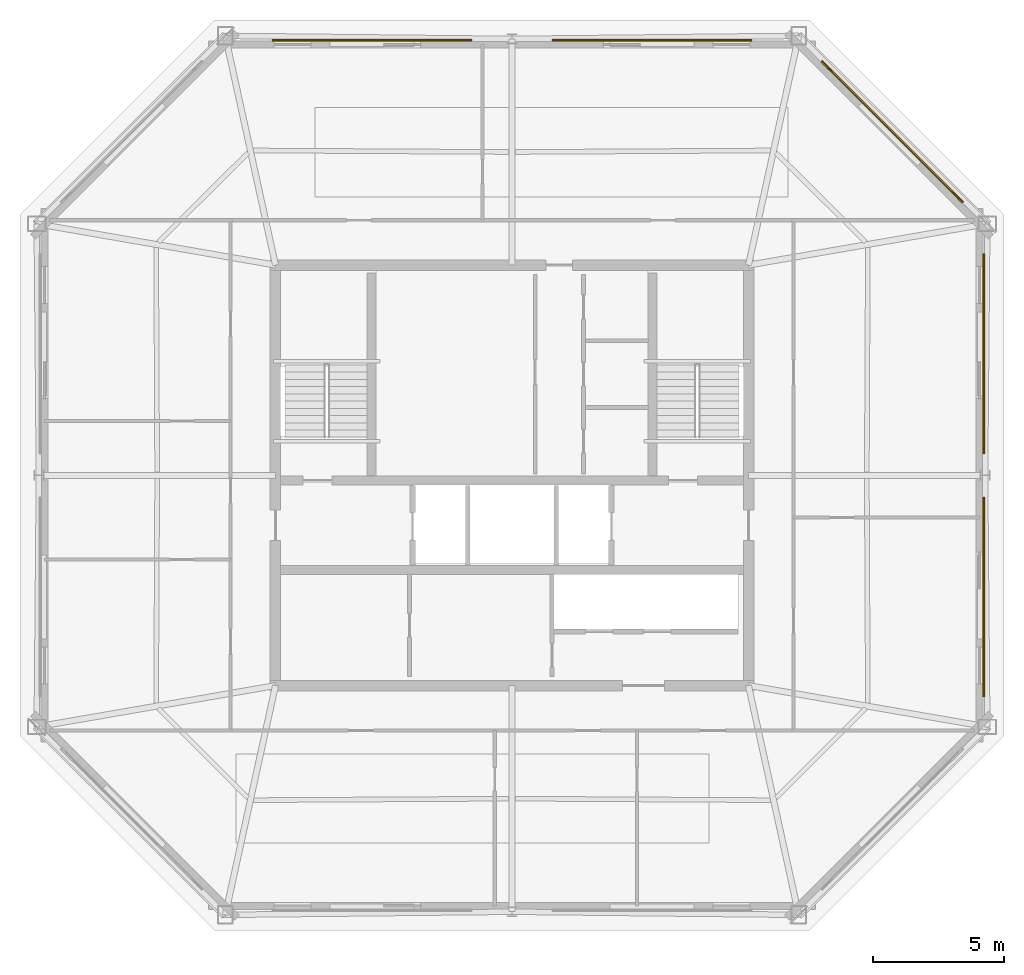
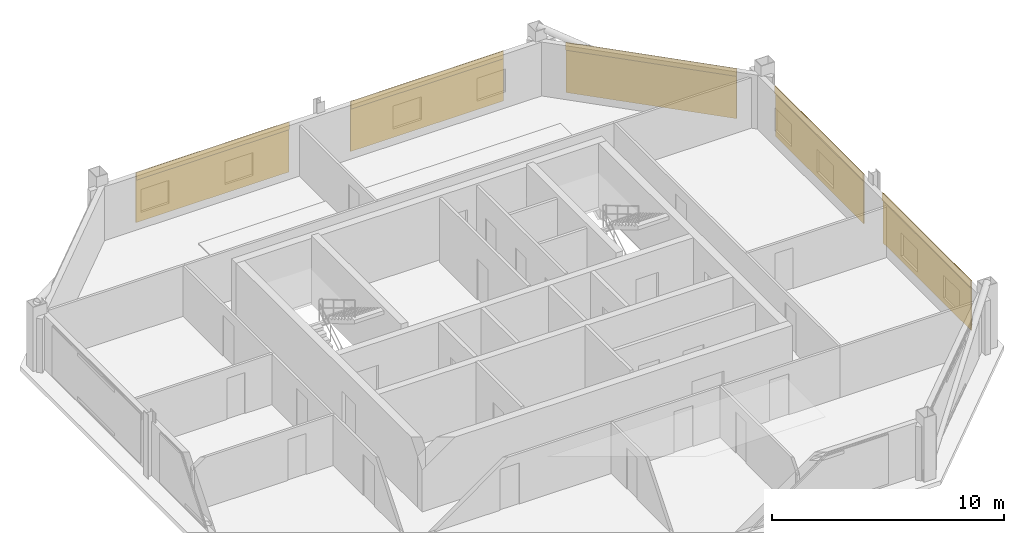
# One storey, part 6 of 6: 5 coverings, 5 shading devices.
"""IFC4 building model written with IfcOpenShell, lengths in metres."""

from ifc_helpers import new_model, si_unit, direction, frame, origin, origin_2d, place, context, subcontext, project, spatial, rectangle, extrude, material, layer, layer_set, type_object, element, save


model = new_model("IFC4")

# Units and contexts
model_context = context("Model", 3, precision=1e-05, world=origin(), true_north=direction((0.0, 1.0)))
body_context = subcontext(model_context, "Body", "Model", "MODEL_VIEW")
ifc_project = project(units=[si_unit("LENGTHUNIT", "METRE"), si_unit("AREAUNIT", "SQUARE_METRE"), si_unit("VOLUMEUNIT", "CUBIC_METRE"), si_unit("PLANEANGLEUNIT", "RADIAN"), si_unit("MASSUNIT", "GRAM", prefix="KILO")], contexts=[model_context])

# Site, building, storey
site_placement = place(None, origin())
site = spatial("IfcSite", under=ifc_project, at=site_placement, CompositionType="ELEMENT")
building_placement = place(site_placement, origin())
building = spatial("IfcBuilding", under=site, at=building_placement, Name="Caelvoria Tower", CompositionType="ELEMENT")
storey_placement = place(building_placement, frame((0.0, 0.0, 264.60009765625)))
storey = spatial("IfcBuildingStorey", under=building, at=storey_placement, Name="L70", CompositionType="ELEMENT", Elevation=264.60009765625)

# Coverings
ifc_material_1 = material(Name="Perforated Architectural Bronze Cladding Screen", Category="bronze")
ifc_layer_1 = layer(ifc_material_1, 0.0400390625, Name="Perforated Architectural Bronze Cladding Screen")
ifc_layer_set_1 = layer_set([ifc_layer_1], Name="Perforated Bronze Louvre Cladding Band 40 - Perforated Architectural Bronze Cladding Screen")
covering_type = type_object("IfcCoveringType", Name="Perforated Bronze Louvre Cladding Band 40", PredefinedType="CLADDING", material=ifc_layer_set_1)
for number, where, z_axis, x_axis, name in (
    (1, (63.92724609375, 27.37548828125, 2.411865234375), (0.0, 0.0, 1.0), (0.0, 1.0, 0.0), "Perforated Bronze Screen Band L70-E2-00"),
    (2, (63.92724609375, 36.62451171875, 2.411865234375), (0.0, 0.0, 1.0), (0.0, 1.0, 0.0), "Perforated Bronze Screen Band L70-E2-01"),
    (3, (60.451171875, 45.0556640625, 2.411865234375), (0.0, 0.0, 1.0), (-0.707106781187, 0.707106781187, 0.0), "Perforated Bronze Screen Band L70-E3-00"),
    (4, (51.322265625, 48.53173828125, 2.411865234375), (0.0, 0.0, 1.0), (-1.0, 0.0, 0.0), "Perforated Bronze Screen Band L70-E4-00"),
    (5, (40.677734375, 48.53173828125, 2.411865234375), (0.0, 0.0, 1.0), (-1.0, 0.0, 0.0), "Perforated Bronze Screen Band L70-E4-01"),
):
    element("IfcCovering", number, at=place(storey_placement, frame(where, z_axis=z_axis, x_axis=x_axis)), inside=storey, type_object=covering_type, Name=name, PredefinedType="CLADDING", context=body_context, shape_type="SweptSolid", body=[
        extrude(rectangle(XDim=7.60009765625, YDim=0.0400390625, at=origin_2d()), origin(), (0.0, 0.0, 1.0), 0.39990234375),
    ])

# Shading devices
ifc_material_2 = material(Name="Perforated Architectural Bronze Alloy Panel", Category="bronze")
ifc_layer_2 = layer(ifc_material_2, 0.044921875, Name="Perforated Architectural Bronze Alloy Panel")
ifc_layer_set_2 = layer_set([ifc_layer_2], Name="Perforated Bronze Solar Screen Panel SCREEN - Perforated Architectural Bronze Alloy Panel")
shading_device_type = type_object("IfcShadingDeviceType", Name="Perforated Bronze Solar Screen Panel SCREEN", PredefinedType="USERDEFINED", material=ifc_layer_set_2)
for number, where, z_axis, x_axis, name in (
    (6, (63.97021484375, 27.37548828125, 0.15966796875), (0.0, 0.0, 1.0), (0.0, 1.0, 0.0), "Perforated Bronze Solar Screen L70-E2-00"),
    (7, (63.97021484375, 36.62451171875, 0.15966796875), (0.0, 0.0, 1.0), (0.0, 1.0, 0.0), "Perforated Bronze Solar Screen L70-E2-01"),
    (8, (60.4814453125, 45.086181640625, 0.15966796875), (0.0, 0.0, 1.0), (-0.707106781187, 0.707106781187, 0.0), "Perforated Bronze Solar Screen L70-E3-00"),
    (9, (51.322265625, 48.57470703125, 0.15966796875), (0.0, 0.0, 1.0), (-1.0, 0.0, 0.0), "Perforated Bronze Solar Screen L70-E4-00"),
    (10, (40.677734375, 48.57470703125, 0.15966796875), (0.0, 0.0, 1.0), (-1.0, 0.0, 0.0), "Perforated Bronze Solar Screen L70-E4-01"),
):
    element("IfcShadingDevice", number, at=place(storey_placement, frame(where, z_axis=z_axis, x_axis=x_axis)), inside=storey, type_object=shading_device_type, Name=name, ObjectType="SCREEN", PredefinedType="USERDEFINED", context=body_context, shape_type="SweptSolid", body=[
        extrude(rectangle(XDim=7.60009765625, YDim=0.044921875, at=origin_2d()), origin(), (0.0, 0.0, 1.0), 2.592041015625),
    ])

save(model, "model.ifc")
